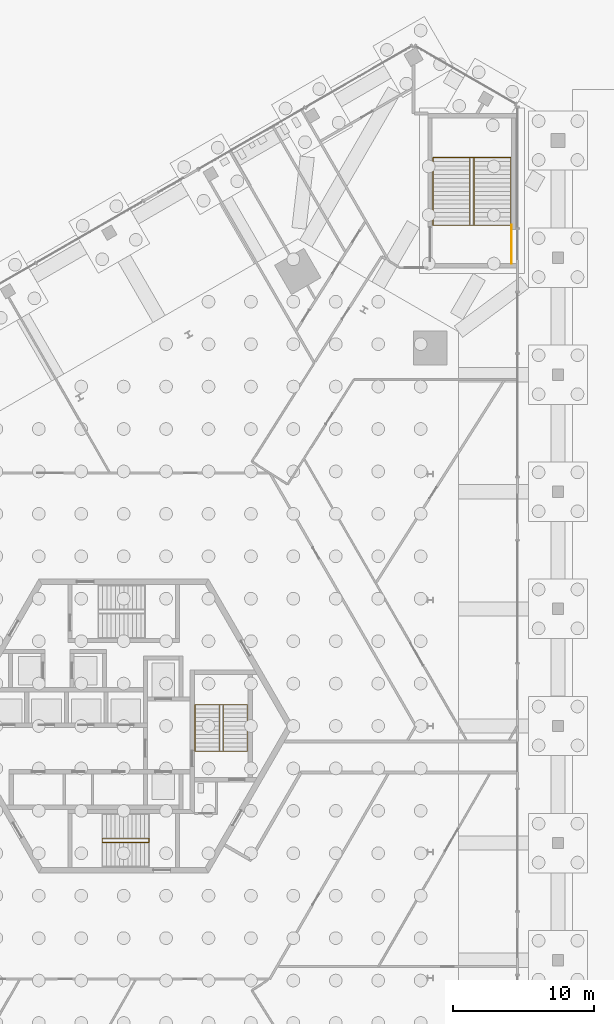
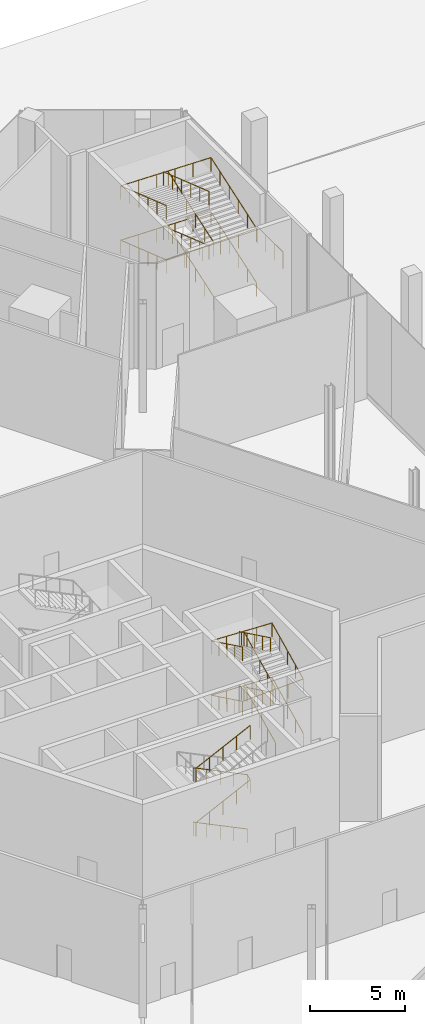
# One storey, part 25 of 27: 6 railings.
"""IFC4 building model written with IfcOpenShell, lengths in metres."""

from ifc_helpers import new_model, si_unit, direction, frame, origin, origin_2d, place, context, subcontext, project, spatial, circle, extrude, material, type_object, element, save


model = new_model("IFC4")

# Units and contexts
model_context = context("Model", 3, precision=1e-05, world=origin(), true_north=direction((0.0, 1.0)))
body_context = subcontext(model_context, "Body", "Model", "MODEL_VIEW")
ifc_project = project(units=[si_unit("LENGTHUNIT", "METRE"), si_unit("AREAUNIT", "SQUARE_METRE"), si_unit("VOLUMEUNIT", "CUBIC_METRE"), si_unit("PLANEANGLEUNIT", "RADIAN"), si_unit("MASSUNIT", "GRAM", prefix="KILO")], contexts=[model_context])

# Site, building, storey
site_placement = place(None, origin())
site = spatial("IfcSite", under=ifc_project, at=site_placement, CompositionType="ELEMENT")
building_placement = place(site_placement, origin())
building = spatial("IfcBuilding", under=site, at=building_placement, Name="Triune Harvest Tower", CompositionType="ELEMENT")
storey_placement = place(building_placement, origin())
storey = spatial("IfcBuildingStorey", under=building, at=storey_placement, Name="L00", CompositionType="ELEMENT", Elevation=0.0)

# Railings
ifc_material_1 = material(Name="Stainless steel AISI 316", Category="steel")
railing_type_1 = type_object("IfcRailingType", Name="Stair handrail", PredefinedType="HANDRAIL", material=ifc_material_1)
railing_1_placement = place(storey_placement, frame((1.7900390625, -7.93994140625, 0.145751953125)))
element("IfcRailing", 1, at=railing_1_placement, inside=storey, type_object=railing_type_1, Name="Exit stair south centre handrail", PredefinedType="HANDRAIL", context=body_context, shape_type="SweptSolid", body=[
    extrude(circle(Radius=0.02392578125, at=origin_2d()), frame((0.0, 0.0, 0.8759765625), z_axis=(-0.899361677004, 0.0, 0.437205413893), x_axis=(0.0, -1.0, 0.0)), (0.0, 0.0, 1.0), 3.66943359375),
    extrude(circle(Radius=0.02392578125, at=origin_2d()), frame((-3.300048828125, 0.0, 2.47998046875), z_axis=(0.0, -0.899491721856, 0.436937801422), x_axis=(1.0, 0.0, 0.0)), (0.0, 0.0, 1.0), 0.33349609375),
    extrude(circle(Radius=0.02392578125, at=origin_2d()), frame((-3.300048828125, -0.300048828125, 2.6259765625), z_axis=(0.899361677004, 0.0, 0.437205413893), x_axis=(0.0, 1.0, 0.0)), (0.0, 0.0, 1.0), 3.66943359375),
    extrude(circle(Radius=0.02392578125, at=origin_2d()), frame((0.0, -0.300048828125, 4.22998046875), z_axis=(0.0, 0.899491721856, 0.436937801422), x_axis=(-1.0, 0.0, 0.0)), (0.0, 0.0, 1.0), 0.33349609375),
    extrude(circle(Radius=0.02392578125, at=origin_2d()), frame((0.0, 0.0, 4.3759765625), z_axis=(-0.899361677004, 0.0, 0.437205413893), x_axis=(0.0, -1.0, 0.0)), (0.0, 0.0, 1.0), 3.66943359375),
    extrude(circle(Radius=0.02392578125, at=origin_2d()), frame((-3.300048828125, 0.0, 5.97998046875), z_axis=(0.0, -0.899491721856, 0.436937801422), x_axis=(1.0, 0.0, 0.0)), (0.0, 0.0, 1.0), 0.33349609375),
    extrude(circle(Radius=0.02392578125, at=origin_2d()), frame((-3.300048828125, -0.300048828125, 6.1259765625), z_axis=(0.899361677004, 0.0, 0.437205413893), x_axis=(0.0, 1.0, 0.0)), (0.0, 0.0, 1.0), 3.66943359375),
    extrude(circle(Radius=0.02099609375, at=origin_2d()), origin(), (0.0, 0.0, 1.0), 0.851806640625),
    extrude(circle(Radius=0.02099609375, at=origin_2d()), frame((-0.824951171875, 0.0, 0.401123046875)), (0.0, 0.0, 1.0), 0.851806640625),
    extrude(circle(Radius=0.02099609375, at=origin_2d()), frame((-1.64990234375, 0.0, 0.80224609375)), (0.0, 0.0, 1.0), 0.851806640625),
    extrude(circle(Radius=0.02099609375, at=origin_2d()), frame((-2.47509765625, 0.0, 1.203125)), (0.0, 0.0, 1.0), 0.851806640625),
    extrude(circle(Radius=0.02099609375, at=origin_2d()), frame((-3.300048828125, 0.0, 1.604248046875)), (0.0, 0.0, 1.0), 0.851806640625),
    extrude(circle(Radius=0.02099609375, at=origin_2d()), frame((-3.300048828125, -0.300048828125, 1.75)), (0.0, 0.0, 1.0), 0.851806640625),
    extrude(circle(Radius=0.02099609375, at=origin_2d()), frame((-2.47509765625, -0.300048828125, 2.151123046875)), (0.0, 0.0, 1.0), 0.851806640625),
    extrude(circle(Radius=0.02099609375, at=origin_2d()), frame((-1.64990234375, -0.300048828125, 2.55224609375)), (0.0, 0.0, 1.0), 0.851806640625),
    extrude(circle(Radius=0.02099609375, at=origin_2d()), frame((-0.824951171875, -0.300048828125, 2.953125)), (0.0, 0.0, 1.0), 0.851806640625),
    extrude(circle(Radius=0.02099609375, at=origin_2d()), frame((0.0, -0.300048828125, 3.354248046875)), (0.0, 0.0, 1.0), 0.851806640625),
    extrude(circle(Radius=0.02099609375, at=origin_2d()), frame((0.0, 0.0, 3.5)), (0.0, 0.0, 1.0), 0.851806640625),
    extrude(circle(Radius=0.02099609375, at=origin_2d()), frame((-0.824951171875, 0.0, 3.901123046875)), (0.0, 0.0, 1.0), 0.851806640625),
    extrude(circle(Radius=0.02099609375, at=origin_2d()), frame((-1.64990234375, 0.0, 4.30224609375)), (0.0, 0.0, 1.0), 0.851806640625),
    extrude(circle(Radius=0.02099609375, at=origin_2d()), frame((-2.47509765625, 0.0, 4.703125)), (0.0, 0.0, 1.0), 0.851806640625),
    extrude(circle(Radius=0.02099609375, at=origin_2d()), frame((-3.300048828125, 0.0, 5.104248046875)), (0.0, 0.0, 1.0), 0.851806640625),
    extrude(circle(Radius=0.02099609375, at=origin_2d()), frame((-3.300048828125, -0.300048828125, 5.25)), (0.0, 0.0, 1.0), 0.851806640625),
    extrude(circle(Radius=0.02099609375, at=origin_2d()), frame((-2.47509765625, -0.300048828125, 5.651123046875)), (0.0, 0.0, 1.0), 0.851806640625),
    extrude(circle(Radius=0.02099609375, at=origin_2d()), frame((-1.64990234375, -0.300048828125, 6.05224609375)), (0.0, 0.0, 1.0), 0.851806640625),
    extrude(circle(Radius=0.02099609375, at=origin_2d()), frame((-0.824951171875, -0.300048828125, 6.453125)), (0.0, 0.0, 1.0), 0.851806640625),
    extrude(circle(Radius=0.02099609375, at=origin_2d()), frame((0.0, -0.300048828125, 6.854248046875)), (0.0, 0.0, 1.0), 0.851806640625),
])
railing_2_placement = place(storey_placement, frame((8.75, -1.7900390625, 0.145751953125)))
element("IfcRailing", 2, at=railing_2_placement, inside=storey, type_object=railing_type_1, Name="Exit stair east wall handrail", PredefinedType="HANDRAIL", context=body_context, shape_type="SweptSolid", body=[
    extrude(circle(Radius=0.02392578125, at=origin_2d()), frame((0.0, 0.0, 0.8759765625), z_axis=(0.0, 0.899361677004, 0.437205413893), x_axis=(-1.0, 0.0, 0.0)), (0.0, 0.0, 1.0), 3.66943359375),
    extrude(circle(Radius=0.02392578125, at=origin_2d()), frame((0.0, 3.300048828125, 2.47998046875), z_axis=(-0.999225000023, 0.0, 0.039362410097), x_axis=(0.0, -1.0, 0.0)), (0.0, 0.0, 1.0), 3.702880859375),
    extrude(circle(Radius=0.02392578125, at=origin_2d()), frame((-3.699951171875, 3.300048828125, 2.6259765625), z_axis=(0.0, -0.899361677004, 0.437205413893), x_axis=(1.0, 0.0, 0.0)), (0.0, 0.0, 1.0), 3.66943359375),
    extrude(circle(Radius=0.02392578125, at=origin_2d()), frame((-3.699951171875, 0.0, 4.22998046875), z_axis=(0.999225000023, 0.0, 0.039362410097), x_axis=(0.0, 1.0, 0.0)), (0.0, 0.0, 1.0), 3.702880859375),
    extrude(circle(Radius=0.02392578125, at=origin_2d()), frame((0.0, 0.0, 4.3759765625), z_axis=(0.0, 0.899361677004, 0.437205413893), x_axis=(-1.0, 0.0, 0.0)), (0.0, 0.0, 1.0), 3.66943359375),
    extrude(circle(Radius=0.02392578125, at=origin_2d()), frame((0.0, 3.300048828125, 5.97998046875), z_axis=(-0.999225000023, 0.0, 0.039362410097), x_axis=(0.0, -1.0, 0.0)), (0.0, 0.0, 1.0), 3.702880859375),
    extrude(circle(Radius=0.02392578125, at=origin_2d()), frame((-3.699951171875, 3.300048828125, 6.1259765625), z_axis=(0.0, -0.899361677004, 0.437205413893), x_axis=(1.0, 0.0, 0.0)), (0.0, 0.0, 1.0), 3.66943359375),
    extrude(circle(Radius=0.02099609375, at=origin_2d()), origin(), (0.0, 0.0, 1.0), 0.851806640625),
    extrude(circle(Radius=0.02099609375, at=origin_2d()), frame((0.0, 0.824951171875, 0.401123046875)), (0.0, 0.0, 1.0), 0.851806640625),
    extrude(circle(Radius=0.02099609375, at=origin_2d()), frame((0.0, 1.64990234375, 0.80224609375)), (0.0, 0.0, 1.0), 0.851806640625),
    extrude(circle(Radius=0.02099609375, at=origin_2d()), frame((0.0, 2.47509765625, 1.203125)), (0.0, 0.0, 1.0), 0.851806640625),
    extrude(circle(Radius=0.02099609375, at=origin_2d()), frame((0.0, 3.300048828125, 1.604248046875)), (0.0, 0.0, 1.0), 0.851806640625),
    extrude(circle(Radius=0.02099609375, at=origin_2d()), frame((-0.925048828125, 3.300048828125, 1.640625)), (0.0, 0.0, 1.0), 0.851806640625),
    extrude(circle(Radius=0.02099609375, at=origin_2d()), frame((-1.85009765625, 3.300048828125, 1.67724609375)), (0.0, 0.0, 1.0), 0.851806640625),
    extrude(circle(Radius=0.02099609375, at=origin_2d()), frame((-2.77490234375, 3.300048828125, 1.713623046875)), (0.0, 0.0, 1.0), 0.851806640625),
    extrude(circle(Radius=0.02099609375, at=origin_2d()), frame((-3.699951171875, 3.300048828125, 1.75)), (0.0, 0.0, 1.0), 0.851806640625),
    extrude(circle(Radius=0.02099609375, at=origin_2d()), frame((-3.699951171875, 2.47509765625, 2.151123046875)), (0.0, 0.0, 1.0), 0.851806640625),
    extrude(circle(Radius=0.02099609375, at=origin_2d()), frame((-3.699951171875, 1.64990234375, 2.55224609375)), (0.0, 0.0, 1.0), 0.851806640625),
    extrude(circle(Radius=0.02099609375, at=origin_2d()), frame((-3.699951171875, 0.824951171875, 2.953125)), (0.0, 0.0, 1.0), 0.851806640625),
    extrude(circle(Radius=0.02099609375, at=origin_2d()), frame((-3.699951171875, 0.0, 3.354248046875)), (0.0, 0.0, 1.0), 0.851806640625),
    extrude(circle(Radius=0.02099609375, at=origin_2d()), frame((-2.77490234375, 0.0, 3.390625)), (0.0, 0.0, 1.0), 0.851806640625),
    extrude(circle(Radius=0.02099609375, at=origin_2d()), frame((-1.85009765625, 0.0, 3.42724609375)), (0.0, 0.0, 1.0), 0.851806640625),
    extrude(circle(Radius=0.02099609375, at=origin_2d()), frame((-0.925048828125, 0.0, 3.463623046875)), (0.0, 0.0, 1.0), 0.851806640625),
    extrude(circle(Radius=0.02099609375, at=origin_2d()), frame((0.0, 0.0, 3.5)), (0.0, 0.0, 1.0), 0.851806640625),
    extrude(circle(Radius=0.02099609375, at=origin_2d()), frame((0.0, 0.824951171875, 3.901123046875)), (0.0, 0.0, 1.0), 0.851806640625),
    extrude(circle(Radius=0.02099609375, at=origin_2d()), frame((0.0, 1.64990234375, 4.30224609375)), (0.0, 0.0, 1.0), 0.851806640625),
    extrude(circle(Radius=0.02099609375, at=origin_2d()), frame((0.0, 2.47509765625, 4.703125)), (0.0, 0.0, 1.0), 0.851806640625),
    extrude(circle(Radius=0.02099609375, at=origin_2d()), frame((0.0, 3.300048828125, 5.104248046875)), (0.0, 0.0, 1.0), 0.851806640625),
    extrude(circle(Radius=0.02099609375, at=origin_2d()), frame((-0.925048828125, 3.300048828125, 5.140625)), (0.0, 0.0, 1.0), 0.851806640625),
    extrude(circle(Radius=0.02099609375, at=origin_2d()), frame((-1.85009765625, 3.300048828125, 5.17724609375)), (0.0, 0.0, 1.0), 0.851806640625),
    extrude(circle(Radius=0.02099609375, at=origin_2d()), frame((-2.77490234375, 3.300048828125, 5.213623046875)), (0.0, 0.0, 1.0), 0.851806640625),
    extrude(circle(Radius=0.02099609375, at=origin_2d()), frame((-3.699951171875, 3.300048828125, 5.25)), (0.0, 0.0, 1.0), 0.851806640625),
    extrude(circle(Radius=0.02099609375, at=origin_2d()), frame((-3.699951171875, 2.47509765625, 5.651123046875)), (0.0, 0.0, 1.0), 0.851806640625),
    extrude(circle(Radius=0.02099609375, at=origin_2d()), frame((-3.699951171875, 1.64990234375, 6.05224609375)), (0.0, 0.0, 1.0), 0.851806640625),
    extrude(circle(Radius=0.02099609375, at=origin_2d()), frame((-3.699951171875, 0.824951171875, 6.453125)), (0.0, 0.0, 1.0), 0.851806640625),
    extrude(circle(Radius=0.02099609375, at=origin_2d()), frame((-3.699951171875, 0.0, 6.854248046875)), (0.0, 0.0, 1.0), 0.851806640625),
])
railing_3_placement = place(storey_placement, frame((7.050048828125, -1.7900390625, 0.145751953125)))
element("IfcRailing", 3, at=railing_3_placement, inside=storey, type_object=railing_type_1, Name="Exit stair east centre handrail", PredefinedType="HANDRAIL", context=body_context, shape_type="SweptSolid", body=[
    extrude(circle(Radius=0.02392578125, at=origin_2d()), frame((0.0, 0.0, 0.8759765625), z_axis=(0.0, 0.899361677004, 0.437205413893), x_axis=(-1.0, 0.0, 0.0)), (0.0, 0.0, 1.0), 3.66943359375),
    extrude(circle(Radius=0.02392578125, at=origin_2d()), frame((0.0, 3.300048828125, 2.47998046875), z_axis=(-0.899491721856, 0.0, 0.436937801422), x_axis=(0.0, -1.0, 0.0)), (0.0, 0.0, 1.0), 0.33349609375),
    extrude(circle(Radius=0.02392578125, at=origin_2d()), frame((-0.300048828125, 3.300048828125, 2.6259765625), z_axis=(0.0, -0.899361677004, 0.437205413893), x_axis=(1.0, 0.0, 0.0)), (0.0, 0.0, 1.0), 3.66943359375),
    extrude(circle(Radius=0.02392578125, at=origin_2d()), frame((-0.300048828125, 0.0, 4.22998046875), z_axis=(0.899491721856, 0.0, 0.436937801422), x_axis=(0.0, 1.0, 0.0)), (0.0, 0.0, 1.0), 0.33349609375),
    extrude(circle(Radius=0.02392578125, at=origin_2d()), frame((0.0, 0.0, 4.3759765625), z_axis=(0.0, 0.899361677004, 0.437205413893), x_axis=(-1.0, 0.0, 0.0)), (0.0, 0.0, 1.0), 3.66943359375),
    extrude(circle(Radius=0.02392578125, at=origin_2d()), frame((0.0, 3.300048828125, 5.97998046875), z_axis=(-0.899491721856, 0.0, 0.436937801422), x_axis=(0.0, -1.0, 0.0)), (0.0, 0.0, 1.0), 0.33349609375),
    extrude(circle(Radius=0.02392578125, at=origin_2d()), frame((-0.300048828125, 3.300048828125, 6.1259765625), z_axis=(0.0, -0.899361677004, 0.437205413893), x_axis=(1.0, 0.0, 0.0)), (0.0, 0.0, 1.0), 3.66943359375),
    extrude(circle(Radius=0.02099609375, at=origin_2d()), origin(), (0.0, 0.0, 1.0), 0.851806640625),
    extrude(circle(Radius=0.02099609375, at=origin_2d()), frame((0.0, 0.824951171875, 0.401123046875)), (0.0, 0.0, 1.0), 0.851806640625),
    extrude(circle(Radius=0.02099609375, at=origin_2d()), frame((0.0, 1.64990234375, 0.80224609375)), (0.0, 0.0, 1.0), 0.851806640625),
    extrude(circle(Radius=0.02099609375, at=origin_2d()), frame((0.0, 2.47509765625, 1.203125)), (0.0, 0.0, 1.0), 0.851806640625),
    extrude(circle(Radius=0.02099609375, at=origin_2d()), frame((0.0, 3.300048828125, 1.604248046875)), (0.0, 0.0, 1.0), 0.851806640625),
    extrude(circle(Radius=0.02099609375, at=origin_2d()), frame((-0.300048828125, 3.300048828125, 1.75)), (0.0, 0.0, 1.0), 0.851806640625),
    extrude(circle(Radius=0.02099609375, at=origin_2d()), frame((-0.300048828125, 2.47509765625, 2.151123046875)), (0.0, 0.0, 1.0), 0.851806640625),
    extrude(circle(Radius=0.02099609375, at=origin_2d()), frame((-0.300048828125, 1.64990234375, 2.55224609375)), (0.0, 0.0, 1.0), 0.851806640625),
    extrude(circle(Radius=0.02099609375, at=origin_2d()), frame((-0.300048828125, 0.824951171875, 2.953125)), (0.0, 0.0, 1.0), 0.851806640625),
    extrude(circle(Radius=0.02099609375, at=origin_2d()), frame((-0.300048828125, 0.0, 3.354248046875)), (0.0, 0.0, 1.0), 0.851806640625),
    extrude(circle(Radius=0.02099609375, at=origin_2d()), frame((0.0, 0.0, 3.5)), (0.0, 0.0, 1.0), 0.851806640625),
    extrude(circle(Radius=0.02099609375, at=origin_2d()), frame((0.0, 0.824951171875, 3.901123046875)), (0.0, 0.0, 1.0), 0.851806640625),
    extrude(circle(Radius=0.02099609375, at=origin_2d()), frame((0.0, 1.64990234375, 4.30224609375)), (0.0, 0.0, 1.0), 0.851806640625),
    extrude(circle(Radius=0.02099609375, at=origin_2d()), frame((0.0, 2.47509765625, 4.703125)), (0.0, 0.0, 1.0), 0.851806640625),
    extrude(circle(Radius=0.02099609375, at=origin_2d()), frame((0.0, 3.300048828125, 5.104248046875)), (0.0, 0.0, 1.0), 0.851806640625),
    extrude(circle(Radius=0.02099609375, at=origin_2d()), frame((-0.300048828125, 3.300048828125, 5.25)), (0.0, 0.0, 1.0), 0.851806640625),
    extrude(circle(Radius=0.02099609375, at=origin_2d()), frame((-0.300048828125, 2.47509765625, 5.651123046875)), (0.0, 0.0, 1.0), 0.851806640625),
    extrude(circle(Radius=0.02099609375, at=origin_2d()), frame((-0.300048828125, 1.64990234375, 6.05224609375)), (0.0, 0.0, 1.0), 0.851806640625),
    extrude(circle(Radius=0.02099609375, at=origin_2d()), frame((-0.300048828125, 0.824951171875, 6.453125)), (0.0, 0.0, 1.0), 0.851806640625),
    extrude(circle(Radius=0.02099609375, at=origin_2d()), frame((-0.300048828125, 0.0, 6.854248046875)), (0.0, 0.0, 1.0), 0.851806640625),
])
railing_4_placement = place(storey_placement, frame((27.3701171875, 35.39990234375, 0.102783203125)))
element("IfcRailing", 4, at=railing_4_placement, inside=storey, type_object=railing_type_1, Name="Podium exit stair north wall handrail", PredefinedType="HANDRAIL", context=body_context, shape_type="SweptSolid", body=[
    extrude(circle(Radius=0.02392578125, at=origin_2d()), frame((0.0, 0.0, 0.8759765625), z_axis=(0.0, 0.945856088881, 0.324586289186), x_axis=(-1.0, 0.0, 0.0)), (0.0, 0.0, 1.0), 5.07470703125),
    extrude(circle(Radius=0.02392578125, at=origin_2d()), frame((0.0, 4.800048828125, 2.52294921875), z_axis=(-0.999825427759, 0.0, 0.018684592733), x_axis=(0.0, -1.0, 0.0)), (0.0, 0.0, 1.0), 5.5009765625),
    extrude(circle(Radius=0.02392578125, at=origin_2d()), frame((-5.5, 4.800048828125, 2.6259765625), z_axis=(0.0, -0.945856088881, 0.324586289186), x_axis=(1.0, 0.0, 0.0)), (0.0, 0.0, 1.0), 5.07470703125),
    extrude(circle(Radius=0.02392578125, at=origin_2d()), frame((-5.5, 0.0, 4.27294921875), z_axis=(0.999825427759, 0.0, 0.018684592733), x_axis=(0.0, 1.0, 0.0)), (0.0, 0.0, 1.0), 5.5009765625),
    extrude(circle(Radius=0.02392578125, at=origin_2d()), frame((0.0, 0.0, 4.3759765625), z_axis=(0.0, 0.945856088881, 0.324586289186), x_axis=(-1.0, 0.0, 0.0)), (0.0, 0.0, 1.0), 5.07470703125),
    extrude(circle(Radius=0.02392578125, at=origin_2d()), frame((0.0, 4.800048828125, 6.02294921875), z_axis=(-0.999825427759, 0.0, 0.018684592733), x_axis=(0.0, -1.0, 0.0)), (0.0, 0.0, 1.0), 5.5009765625),
    extrude(circle(Radius=0.02392578125, at=origin_2d()), frame((-5.5, 4.800048828125, 6.1259765625), z_axis=(0.0, -0.945856088881, 0.324586289186), x_axis=(1.0, 0.0, 0.0)), (0.0, 0.0, 1.0), 5.07470703125),
    extrude(circle(Radius=0.02099609375, at=origin_2d()), origin(), (0.0, 0.0, 1.0), 0.851806640625),
    extrude(circle(Radius=0.02099609375, at=origin_2d()), frame((0.0, 0.9599609375, 0.329345703125)), (0.0, 0.0, 1.0), 0.851806640625),
    extrude(circle(Radius=0.02099609375, at=origin_2d()), frame((0.0, 1.919921875, 0.658935546875)), (0.0, 0.0, 1.0), 0.851806640625),
    extrude(circle(Radius=0.02099609375, at=origin_2d()), frame((0.0, 2.880126953125, 0.98828125)), (0.0, 0.0, 1.0), 0.851806640625),
    extrude(circle(Radius=0.02099609375, at=origin_2d()), frame((0.0, 3.840087890625, 1.31787109375)), (0.0, 0.0, 1.0), 0.851806640625),
    extrude(circle(Radius=0.02099609375, at=origin_2d()), frame((0.0, 4.800048828125, 1.647216796875)), (0.0, 0.0, 1.0), 0.851806640625),
    extrude(circle(Radius=0.02099609375, at=origin_2d()), frame((-1.10009765625, 4.800048828125, 1.667724609375)), (0.0, 0.0, 1.0), 0.851806640625),
    extrude(circle(Radius=0.02099609375, at=origin_2d()), frame((-2.199951171875, 4.800048828125, 1.688232421875)), (0.0, 0.0, 1.0), 0.851806640625),
    extrude(circle(Radius=0.02099609375, at=origin_2d()), frame((-3.300048828125, 4.800048828125, 1.708984375)), (0.0, 0.0, 1.0), 0.851806640625),
    extrude(circle(Radius=0.02099609375, at=origin_2d()), frame((-4.39990234375, 4.800048828125, 1.7294921875)), (0.0, 0.0, 1.0), 0.851806640625),
    extrude(circle(Radius=0.02099609375, at=origin_2d()), frame((-5.5, 4.800048828125, 1.75)), (0.0, 0.0, 1.0), 0.851806640625),
    extrude(circle(Radius=0.02099609375, at=origin_2d()), frame((-5.5, 3.840087890625, 2.079345703125)), (0.0, 0.0, 1.0), 0.851806640625),
    extrude(circle(Radius=0.02099609375, at=origin_2d()), frame((-5.5, 2.880126953125, 2.408935546875)), (0.0, 0.0, 1.0), 0.851806640625),
    extrude(circle(Radius=0.02099609375, at=origin_2d()), frame((-5.5, 1.919921875, 2.73828125)), (0.0, 0.0, 1.0), 0.851806640625),
    extrude(circle(Radius=0.02099609375, at=origin_2d()), frame((-5.5, 0.9599609375, 3.06787109375)), (0.0, 0.0, 1.0), 0.851806640625),
    extrude(circle(Radius=0.02099609375, at=origin_2d()), frame((-5.5, 0.0, 3.397216796875)), (0.0, 0.0, 1.0), 0.851806640625),
    extrude(circle(Radius=0.02099609375, at=origin_2d()), frame((-4.39990234375, 0.0, 3.417724609375)), (0.0, 0.0, 1.0), 0.851806640625),
    extrude(circle(Radius=0.02099609375, at=origin_2d()), frame((-3.300048828125, 0.0, 3.438232421875)), (0.0, 0.0, 1.0), 0.851806640625),
    extrude(circle(Radius=0.02099609375, at=origin_2d()), frame((-2.199951171875, 0.0, 3.458984375)), (0.0, 0.0, 1.0), 0.851806640625),
    extrude(circle(Radius=0.02099609375, at=origin_2d()), frame((-1.10009765625, 0.0, 3.4794921875)), (0.0, 0.0, 1.0), 0.851806640625),
    extrude(circle(Radius=0.02099609375, at=origin_2d()), frame((0.0, 0.0, 3.5)), (0.0, 0.0, 1.0), 0.851806640625),
    extrude(circle(Radius=0.02099609375, at=origin_2d()), frame((0.0, 0.9599609375, 3.829345703125)), (0.0, 0.0, 1.0), 0.851806640625),
    extrude(circle(Radius=0.02099609375, at=origin_2d()), frame((0.0, 1.919921875, 4.158935546875)), (0.0, 0.0, 1.0), 0.851806640625),
    extrude(circle(Radius=0.02099609375, at=origin_2d()), frame((0.0, 2.880126953125, 4.48828125)), (0.0, 0.0, 1.0), 0.851806640625),
    extrude(circle(Radius=0.02099609375, at=origin_2d()), frame((0.0, 3.840087890625, 4.81787109375)), (0.0, 0.0, 1.0), 0.851806640625),
    extrude(circle(Radius=0.02099609375, at=origin_2d()), frame((0.0, 4.800048828125, 5.147216796875)), (0.0, 0.0, 1.0), 0.851806640625),
    extrude(circle(Radius=0.02099609375, at=origin_2d()), frame((-1.10009765625, 4.800048828125, 5.167724609375)), (0.0, 0.0, 1.0), 0.851806640625),
    extrude(circle(Radius=0.02099609375, at=origin_2d()), frame((-2.199951171875, 4.800048828125, 5.188232421875)), (0.0, 0.0, 1.0), 0.851806640625),
    extrude(circle(Radius=0.02099609375, at=origin_2d()), frame((-3.300048828125, 4.800048828125, 5.208984375)), (0.0, 0.0, 1.0), 0.851806640625),
    extrude(circle(Radius=0.02099609375, at=origin_2d()), frame((-4.39990234375, 4.800048828125, 5.2294921875)), (0.0, 0.0, 1.0), 0.851806640625),
    extrude(circle(Radius=0.02099609375, at=origin_2d()), frame((-5.5, 4.800048828125, 5.25)), (0.0, 0.0, 1.0), 0.851806640625),
    extrude(circle(Radius=0.02099609375, at=origin_2d()), frame((-5.5, 3.840087890625, 5.579345703125)), (0.0, 0.0, 1.0), 0.851806640625),
    extrude(circle(Radius=0.02099609375, at=origin_2d()), frame((-5.5, 2.880126953125, 5.908935546875)), (0.0, 0.0, 1.0), 0.851806640625),
    extrude(circle(Radius=0.02099609375, at=origin_2d()), frame((-5.5, 1.919921875, 6.23828125)), (0.0, 0.0, 1.0), 0.851806640625),
    extrude(circle(Radius=0.02099609375, at=origin_2d()), frame((-5.5, 0.9599609375, 6.56787109375)), (0.0, 0.0, 1.0), 0.851806640625),
    extrude(circle(Radius=0.02099609375, at=origin_2d()), frame((-5.5, 0.0, 6.897216796875)), (0.0, 0.0, 1.0), 0.851806640625),
])
railing_5_placement = place(storey_placement, frame((24.77001953125, 35.39990234375, 0.102783203125)))
element("IfcRailing", 5, at=railing_5_placement, inside=storey, type_object=railing_type_1, Name="Podium exit stair north centre handrail", PredefinedType="HANDRAIL", context=body_context, shape_type="SweptSolid", body=[
    extrude(circle(Radius=0.02392578125, at=origin_2d()), frame((0.0, 0.0, 0.8759765625), z_axis=(0.0, 0.945856088881, 0.324586289186), x_axis=(-1.0, 0.0, 0.0)), (0.0, 0.0, 1.0), 5.07470703125),
    extrude(circle(Radius=0.02392578125, at=origin_2d()), frame((0.0, 4.800048828125, 2.52294921875), z_axis=(-0.946033626748, 0.0, 0.324068475884), x_axis=(0.0, -1.0, 0.0)), (0.0, 0.0, 1.0), 0.317138671875),
    extrude(circle(Radius=0.02392578125, at=origin_2d()), frame((-0.300048828125, 4.800048828125, 2.6259765625), z_axis=(0.0, -0.945856088881, 0.324586289186), x_axis=(1.0, 0.0, 0.0)), (0.0, 0.0, 1.0), 5.07470703125),
    extrude(circle(Radius=0.02392578125, at=origin_2d()), frame((-0.300048828125, 0.0, 4.27294921875), z_axis=(0.946033626748, 0.0, 0.324068475884), x_axis=(0.0, 1.0, 0.0)), (0.0, 0.0, 1.0), 0.317138671875),
    extrude(circle(Radius=0.02392578125, at=origin_2d()), frame((0.0, 0.0, 4.3759765625), z_axis=(0.0, 0.945856088881, 0.324586289186), x_axis=(-1.0, 0.0, 0.0)), (0.0, 0.0, 1.0), 5.07470703125),
    extrude(circle(Radius=0.02392578125, at=origin_2d()), frame((0.0, 4.800048828125, 6.02294921875), z_axis=(-0.946033626748, 0.0, 0.324068475884), x_axis=(0.0, -1.0, 0.0)), (0.0, 0.0, 1.0), 0.317138671875),
    extrude(circle(Radius=0.02392578125, at=origin_2d()), frame((-0.300048828125, 4.800048828125, 6.1259765625), z_axis=(0.0, -0.945856088881, 0.324586289186), x_axis=(1.0, 0.0, 0.0)), (0.0, 0.0, 1.0), 5.07470703125),
    extrude(circle(Radius=0.02099609375, at=origin_2d()), origin(), (0.0, 0.0, 1.0), 0.851806640625),
    extrude(circle(Radius=0.02099609375, at=origin_2d()), frame((0.0, 0.9599609375, 0.329345703125)), (0.0, 0.0, 1.0), 0.851806640625),
    extrude(circle(Radius=0.02099609375, at=origin_2d()), frame((0.0, 1.919921875, 0.658935546875)), (0.0, 0.0, 1.0), 0.851806640625),
    extrude(circle(Radius=0.02099609375, at=origin_2d()), frame((0.0, 2.880126953125, 0.98828125)), (0.0, 0.0, 1.0), 0.851806640625),
    extrude(circle(Radius=0.02099609375, at=origin_2d()), frame((0.0, 3.840087890625, 1.31787109375)), (0.0, 0.0, 1.0), 0.851806640625),
    extrude(circle(Radius=0.02099609375, at=origin_2d()), frame((0.0, 4.800048828125, 1.647216796875)), (0.0, 0.0, 1.0), 0.851806640625),
    extrude(circle(Radius=0.02099609375, at=origin_2d()), frame((-0.300048828125, 4.800048828125, 1.75)), (0.0, 0.0, 1.0), 0.851806640625),
    extrude(circle(Radius=0.02099609375, at=origin_2d()), frame((-0.300048828125, 3.840087890625, 2.079345703125)), (0.0, 0.0, 1.0), 0.851806640625),
    extrude(circle(Radius=0.02099609375, at=origin_2d()), frame((-0.300048828125, 2.880126953125, 2.408935546875)), (0.0, 0.0, 1.0), 0.851806640625),
    extrude(circle(Radius=0.02099609375, at=origin_2d()), frame((-0.300048828125, 1.919921875, 2.73828125)), (0.0, 0.0, 1.0), 0.851806640625),
    extrude(circle(Radius=0.02099609375, at=origin_2d()), frame((-0.300048828125, 0.9599609375, 3.06787109375)), (0.0, 0.0, 1.0), 0.851806640625),
    extrude(circle(Radius=0.02099609375, at=origin_2d()), frame((-0.300048828125, 0.0, 3.397216796875)), (0.0, 0.0, 1.0), 0.851806640625),
    extrude(circle(Radius=0.02099609375, at=origin_2d()), frame((0.0, 0.0, 3.5)), (0.0, 0.0, 1.0), 0.851806640625),
    extrude(circle(Radius=0.02099609375, at=origin_2d()), frame((0.0, 0.9599609375, 3.829345703125)), (0.0, 0.0, 1.0), 0.851806640625),
    extrude(circle(Radius=0.02099609375, at=origin_2d()), frame((0.0, 1.919921875, 4.158935546875)), (0.0, 0.0, 1.0), 0.851806640625),
    extrude(circle(Radius=0.02099609375, at=origin_2d()), frame((0.0, 2.880126953125, 4.48828125)), (0.0, 0.0, 1.0), 0.851806640625),
    extrude(circle(Radius=0.02099609375, at=origin_2d()), frame((0.0, 3.840087890625, 4.81787109375)), (0.0, 0.0, 1.0), 0.851806640625),
    extrude(circle(Radius=0.02099609375, at=origin_2d()), frame((0.0, 4.800048828125, 5.147216796875)), (0.0, 0.0, 1.0), 0.851806640625),
    extrude(circle(Radius=0.02099609375, at=origin_2d()), frame((-0.300048828125, 4.800048828125, 5.25)), (0.0, 0.0, 1.0), 0.851806640625),
    extrude(circle(Radius=0.02099609375, at=origin_2d()), frame((-0.300048828125, 3.840087890625, 5.579345703125)), (0.0, 0.0, 1.0), 0.851806640625),
    extrude(circle(Radius=0.02099609375, at=origin_2d()), frame((-0.300048828125, 2.880126953125, 5.908935546875)), (0.0, 0.0, 1.0), 0.851806640625),
    extrude(circle(Radius=0.02099609375, at=origin_2d()), frame((-0.300048828125, 1.919921875, 6.23828125)), (0.0, 0.0, 1.0), 0.851806640625),
    extrude(circle(Radius=0.02099609375, at=origin_2d()), frame((-0.300048828125, 0.9599609375, 6.56787109375)), (0.0, 0.0, 1.0), 0.851806640625),
    extrude(circle(Radius=0.02099609375, at=origin_2d()), frame((-0.300048828125, 0.0, 6.897216796875)), (0.0, 0.0, 1.0), 0.851806640625),
])
ifc_material_2 = material(Name="Stainless steel AISI 316", Category="steel")
railing_type_2 = type_object("IfcRailingType", Name="Stair well guard 1100", PredefinedType="GUARDRAIL", material=ifc_material_2)
railing_6_placement = place(storey_placement, frame((27.419921875, 32.699951171875, 3.5)))
element("IfcRailing", 6, at=railing_6_placement, inside=storey, type_object=railing_type_2, Name="Podium exit stair north landing guard", PredefinedType="GUARDRAIL", context=body_context, shape_type="SweptSolid", body=[
    extrude(circle(Radius=0.02392578125, at=origin_2d()), frame((0.0, 0.0, 1.076171875), z_axis=(0.0, 1.0, 0.0), x_axis=(-1.0, 0.0, 0.0)), (0.0, 0.0, 1.0), 2.7099609375),
    extrude(circle(Radius=0.02099609375, at=origin_2d()), origin(), (0.0, 0.0, 1.0), 1.052001953125),
    extrude(circle(Radius=0.02099609375, at=origin_2d()), frame((0.0, 0.9033203125, 0.0)), (0.0, 0.0, 1.0), 1.052001953125),
    extrude(circle(Radius=0.02099609375, at=origin_2d()), frame((0.0, 1.806640625, 0.0)), (0.0, 0.0, 1.0), 1.052001953125),
    extrude(circle(Radius=0.02099609375, at=origin_2d()), frame((0.0, 2.7099609375, 0.0)), (0.0, 0.0, 1.0), 1.052001953125),
])

save(model, "model.ifc")
